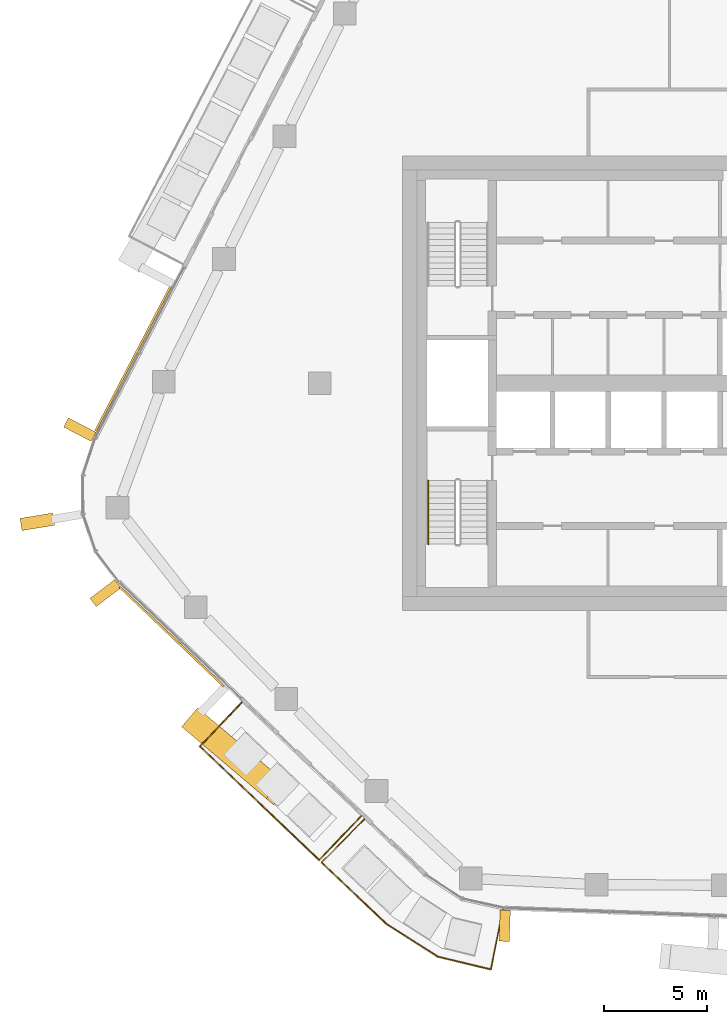
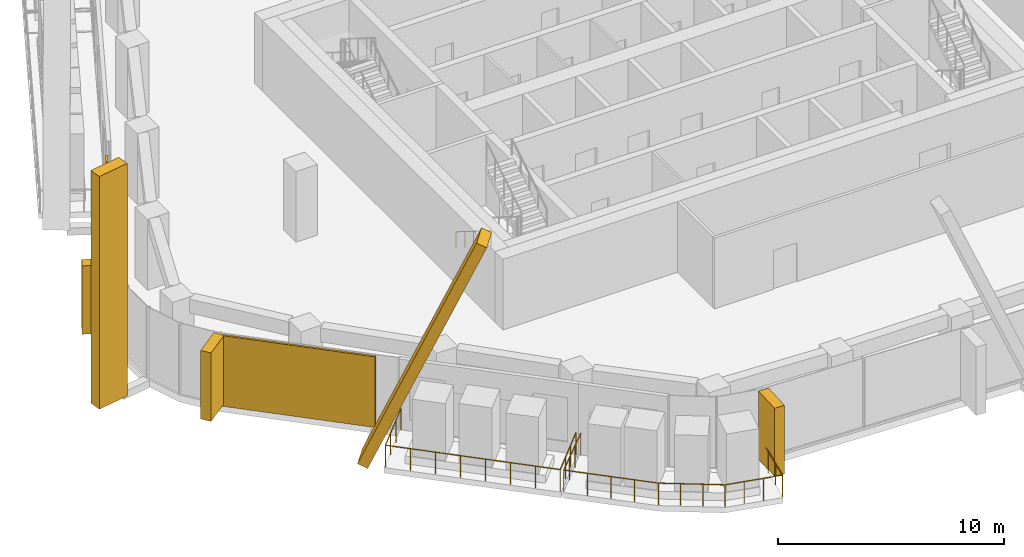
# One storey, part 14 of 20: 7 coverings, 3 railings, 4 elements without a shape of their own.
"""IFC4 building model written with IfcOpenShell, lengths in metres."""

from ifc_helpers import new_model, si_unit, direction, frame, origin, origin_2d, place, context, subcontext, project, spatial, rectangle, circle, extrude, material, layer, layer_set, material_profile, profile_set, type_object, element, aggregate, save


model = new_model("IFC4")

# Units and contexts
model_context = context("Model", 3, precision=1e-05, world=origin(), true_north=direction((0.0, 1.0)))
body_context = subcontext(model_context, "Body", "Model", "MODEL_VIEW")
ifc_project = project(units=[si_unit("LENGTHUNIT", "METRE"), si_unit("AREAUNIT", "SQUARE_METRE"), si_unit("VOLUMEUNIT", "CUBIC_METRE"), si_unit("PLANEANGLEUNIT", "RADIAN"), si_unit("MASSUNIT", "GRAM", prefix="KILO")], contexts=[model_context])

# Site, building, storey
site_placement = place(None, origin())
site = spatial("IfcSite", under=ifc_project, at=site_placement, CompositionType="ELEMENT")
building_placement = place(site_placement, origin())
building = spatial("IfcBuilding", under=site, at=building_placement, Name="Dongbaek Canopy Tower", CompositionType="ELEMENT")
storey_placement = place(building_placement, frame((0.0, 0.0, 266.39990234375)))
storey = spatial("IfcBuildingStorey", under=building, at=storey_placement, Name="L56", CompositionType="ELEMENT", Elevation=266.39990234375)

# Railings
ifc_material_1 = material(Name="Stainless steel", Category="steel")
railing_type_1 = type_object("IfcRailingType", Name="Balcony balustrade 1200", PredefinedType="BALUSTRADE", material=ifc_material_1)
railing_1_placement = place(storey_placement, frame((-21.756591796875, -15.428466796875, 0.0)))
element("IfcRailing", 1, at=railing_1_placement, inside=storey, type_object=railing_type_1, Name="Balcony guard L56 2", PredefinedType="BALUSTRADE", context=body_context, shape_type="SweptSolid", body=[
    extrude(circle(Radius=0.02392578125, at=origin_2d()), frame((0.0, 0.0, 1.17578125), z_axis=(-0.690473771685, -0.723357429363, 0.0), x_axis=(0.723357429363, -0.690473771685, 0.0)), (0.0, 0.0, 1.0), 2.93994140625),
    extrude(circle(Radius=0.02392578125, at=origin_2d()), frame((-2.030029296875, -2.126708984375, 1.17578125), z_axis=(0.723346496958, -0.690485224562, 0.0), x_axis=(0.690485224562, 0.723346496958, 0.0)), (0.0, 0.0, 1.0), 7.96435546875),
    extrude(circle(Radius=0.02392578125, at=origin_2d()), frame((3.73095703125, -7.6259765625, 1.17578125), z_axis=(0.690473771685, 0.723357429363, 0.0), x_axis=(-0.723357429363, 0.690473771685, 0.0)), (0.0, 0.0, 1.0), 2.93994140625),
    extrude(circle(Radius=0.02099609375, at=origin_2d()), origin(), (0.0, 0.0, 1.0), 1.15185546875),
    extrude(circle(Radius=0.02099609375, at=origin_2d()), frame((-0.6767578125, -0.708984375, 0.0)), (0.0, 0.0, 1.0), 1.15185546875),
    extrude(circle(Radius=0.02099609375, at=origin_2d()), frame((-1.353271484375, -1.417724609375, 0.0)), (0.0, 0.0, 1.0), 1.15185546875),
    extrude(circle(Radius=0.02099609375, at=origin_2d()), frame((-2.030029296875, -2.126708984375, 0.0)), (0.0, 0.0, 1.0), 1.15185546875),
    extrude(circle(Radius=0.02099609375, at=origin_2d()), frame((-1.20703125, -2.912353515625, 0.0)), (0.0, 0.0, 1.0), 1.15185546875),
    extrude(circle(Radius=0.02099609375, at=origin_2d()), frame((-0.384033203125, -3.697998046875, 0.0)), (0.0, 0.0, 1.0), 1.15185546875),
    extrude(circle(Radius=0.02099609375, at=origin_2d()), frame((0.43896484375, -4.483642578125, 0.0)), (0.0, 0.0, 1.0), 1.15185546875),
    extrude(circle(Radius=0.02099609375, at=origin_2d()), frame((1.261962890625, -5.26904296875, 0.0)), (0.0, 0.0, 1.0), 1.15185546875),
    extrude(circle(Radius=0.02099609375, at=origin_2d()), frame((2.0849609375, -6.0546875, 0.0)), (0.0, 0.0, 1.0), 1.15185546875),
    extrude(circle(Radius=0.02099609375, at=origin_2d()), frame((2.907958984375, -6.84033203125, 0.0)), (0.0, 0.0, 1.0), 1.15185546875),
    extrude(circle(Radius=0.02099609375, at=origin_2d()), frame((3.73095703125, -7.6259765625, 0.0)), (0.0, 0.0, 1.0), 1.15185546875),
    extrude(circle(Radius=0.02099609375, at=origin_2d()), frame((4.40771484375, -6.9169921875, 0.0)), (0.0, 0.0, 1.0), 1.15185546875),
    extrude(circle(Radius=0.02099609375, at=origin_2d()), frame((5.084228515625, -6.208251953125, 0.0)), (0.0, 0.0, 1.0), 1.15185546875),
    extrude(circle(Radius=0.02099609375, at=origin_2d()), frame((5.760986328125, -5.499267578125, 0.0)), (0.0, 0.0, 1.0), 1.15185546875),
])
railing_2_placement = place(storey_placement, frame((-15.83642578125, -21.07958984375, 0.0)))
element("IfcRailing", 2, at=railing_2_placement, inside=storey, type_object=railing_type_1, Name="Balcony guard L56 6", PredefinedType="BALUSTRADE", context=body_context, shape_type="SweptSolid", body=[
    extrude(circle(Radius=0.02392578125, at=origin_2d()), frame((0.0, 0.0, 1.17578125), z_axis=(-0.705111430024, -0.709096517584, 0.0), x_axis=(0.709096517584, -0.705111430024, 0.0)), (0.0, 0.0, 1.0), 2.940673828125),
    extrude(circle(Radius=0.02392578125, at=origin_2d()), frame((-2.073486328125, -2.085205078125, 1.17578125), z_axis=(0.725283750395, -0.688450057313, 0.0), x_axis=(0.688450057313, 0.725283750395, 0.0)), (0.0, 0.0, 1.0), 4.308349609375),
    extrude(circle(Radius=0.02392578125, at=origin_2d()), frame((1.05126953125, -5.05126953125, 1.17578125), z_axis=(0.842627660144, -0.538496635422, 0.0), x_axis=(0.538496635422, 0.842627660144, 0.0)), (0.0, 0.0, 1.0), 2.96044921875),
    extrude(circle(Radius=0.02392578125, at=origin_2d()), frame((3.5458984375, -6.6455078125, 1.17578125), z_axis=(0.972181603918, -0.234228369339, 0.0), x_axis=(0.234228369339, 0.972181603918, 0.0)), (0.0, 0.0, 1.0), 2.644287109375),
    extrude(circle(Radius=0.02392578125, at=origin_2d()), frame((6.11669921875, -7.264892578125, 1.17578125), z_axis=(0.196515267577, 0.980500764716, 0.0), x_axis=(-0.980500764716, 0.196515267577, 0.0)), (0.0, 0.0, 1.0), 2.940673828125),
    extrude(circle(Radius=0.02099609375, at=origin_2d()), origin(), (0.0, 0.0, 1.0), 1.15185546875),
    extrude(circle(Radius=0.02099609375, at=origin_2d()), frame((-0.691162109375, -0.695068359375, 0.0)), (0.0, 0.0, 1.0), 1.15185546875),
    extrude(circle(Radius=0.02099609375, at=origin_2d()), frame((-1.38232421875, -1.39013671875, 0.0)), (0.0, 0.0, 1.0), 1.15185546875),
    extrude(circle(Radius=0.02099609375, at=origin_2d()), frame((-2.073486328125, -2.085205078125, 0.0)), (0.0, 0.0, 1.0), 1.15185546875),
    extrude(circle(Radius=0.02099609375, at=origin_2d()), frame((-1.292236328125, -2.82666015625, 0.0)), (0.0, 0.0, 1.0), 1.15185546875),
    extrude(circle(Radius=0.02099609375, at=origin_2d()), frame((-0.51123046875, -3.568359375, 0.0)), (0.0, 0.0, 1.0), 1.15185546875),
    extrude(circle(Radius=0.02099609375, at=origin_2d()), frame((0.27001953125, -4.309814453125, 0.0)), (0.0, 0.0, 1.0), 1.15185546875),
    extrude(circle(Radius=0.02099609375, at=origin_2d()), frame((1.05126953125, -5.05126953125, 0.0)), (0.0, 0.0, 1.0), 1.15185546875),
    extrude(circle(Radius=0.02099609375, at=origin_2d()), frame((1.8828125, -5.582763671875, 0.0)), (0.0, 0.0, 1.0), 1.15185546875),
    extrude(circle(Radius=0.02099609375, at=origin_2d()), frame((2.71435546875, -6.114013671875, 0.0)), (0.0, 0.0, 1.0), 1.15185546875),
    extrude(circle(Radius=0.02099609375, at=origin_2d()), frame((3.5458984375, -6.6455078125, 0.0)), (0.0, 0.0, 1.0), 1.15185546875),
    extrude(circle(Radius=0.02099609375, at=origin_2d()), frame((4.40283203125, -6.85205078125, 0.0)), (0.0, 0.0, 1.0), 1.15185546875),
    extrude(circle(Radius=0.02099609375, at=origin_2d()), frame((5.259765625, -7.058349609375, 0.0)), (0.0, 0.0, 1.0), 1.15185546875),
    extrude(circle(Radius=0.02099609375, at=origin_2d()), frame((6.11669921875, -7.264892578125, 0.0)), (0.0, 0.0, 1.0), 1.15185546875),
    extrude(circle(Radius=0.02099609375, at=origin_2d()), frame((6.309326171875, -6.3037109375, 0.0)), (0.0, 0.0, 1.0), 1.15185546875),
    extrude(circle(Radius=0.02099609375, at=origin_2d()), frame((6.501953125, -5.3427734375, 0.0)), (0.0, 0.0, 1.0), 1.15185546875),
    extrude(circle(Radius=0.02099609375, at=origin_2d()), frame((6.694580078125, -4.381591796875, 0.0)), (0.0, 0.0, 1.0), 1.15185546875),
])

# Curtain wall, covering
ifc_material_2 = material(Name="Aluminium 6063-T6 pale anodised", Category="aluminium")
ifc_layer_1 = layer(ifc_material_2, 0.199951171875)
ifc_layer_set_1 = layer_set([ifc_layer_1], Name="CW-1 unitised tower curtain wall")
curtain_wall_type = type_object("IfcCurtainWallType", Name="CW-1 unitised tower curtain wall", PredefinedType="NOTDEFINED", material=ifc_layer_set_1)
curtain_wall_1_placement = place(storey_placement, origin())
curtain_wall_1 = element("IfcCurtainWall", 3, at=curtain_wall_1_placement, inside=storey, type_object=curtain_wall_type, Name="CW-1 curtain wall K3.1", PredefinedType="NOTDEFINED")
ifc_material_3 = material(Name="Aluminium 6063-T6 pale metal fin", Category="aluminium")
ifc_material_profile_1 = material_profile(ifc_material_3, rectangle(XDim=1.60009765625, YDim=0.60009765625, at=origin_2d()), Name="Corner fin CN1 600 x 1600 pale metal")
ifc_profile_set_1 = profile_set([ifc_material_profile_1], Name="Aluminium 6063-T6 pale metal fin")
covering_type_1 = type_object("IfcCoveringType", Name="Corner fin CN1 600 x 1600 pale metal", PredefinedType="CLADDING", material=ifc_profile_set_1)
covering_1_placement = place(storey_placement, frame((-31.653076171875, -6.698486328125, -0.18994140625), z_axis=(0.0, 0.0, 1.0), x_axis=(-0.986446731752, -0.164081825364, 0.0)))
covering_1 = element("IfcCovering", 4, at=covering_1_placement, type_object=covering_type_1, Name="Corner fin L56 L58 K3", PredefinedType="CLADDING", context=body_context, shape_type="SweptSolid", body=[
    extrude(rectangle(XDim=1.60009765625, YDim=0.60009765625, at=origin_2d()), origin(), (0.0, 0.0, 1.0), 12.580078125),
])

curtain_wall_2_placement = place(storey_placement, origin())
curtain_wall_2 = element("IfcCurtainWall", 5, at=curtain_wall_2_placement, inside=storey, type_object=curtain_wall_type, Name="CW-1 curtain wall F3.1", PredefinedType="NOTDEFINED")
ifc_material_4 = material(Name="Aluminium 6063-T6 pale metal fin", Category="aluminium")
ifc_material_profile_2 = material_profile(ifc_material_4, rectangle(XDim=1.199951171875, YDim=0.5, at=origin_2d()), Name="Crease fin CF1 500 x 1200 pale metal")
ifc_profile_set_2 = profile_set([ifc_material_profile_2], Name="Aluminium 6063-T6 pale metal fin")
covering_type_2 = type_object("IfcCoveringType", Name="Crease fin CF1 500 x 1200 pale metal", PredefinedType="CLADDING", material=ifc_profile_set_2)
covering_2_placement = place(storey_placement, frame((-24.112060546875, -16.302490234375, -0.18994140625), z_axis=(0.298781883999, -0.253230973228, 0.920110569438), x_axis=(0.646560311263, 0.762862873589, 0.0)))
covering_2 = element("IfcCovering", 6, at=covering_2_placement, type_object=covering_type_2, Name="Crease fin L56 L59 F3", PredefinedType="CLADDING", context=body_context, shape_type="SweptSolid", body=[
    extrude(rectangle(XDim=1.199951171875, YDim=0.5, at=origin_2d()), origin(), (0.0, 0.0, 1.0), 13.694091796875),
])

curtain_wall_3_placement = place(storey_placement, origin())
curtain_wall_3 = element("IfcCurtainWall", 7, at=curtain_wall_3_placement, inside=storey, type_object=curtain_wall_type, Name="CW-1 curtain wall F2.1", PredefinedType="NOTDEFINED")
ifc_material_5 = material(Name="Perforated aluminium 6063-T6 pale metal screen", Category="aluminium")
ifc_layer_2 = layer(ifc_material_5, 0.10009765625)
ifc_layer_set_2 = layer_set([ifc_layer_2], Name="Facet screen FS1 100 pale metal")
covering_type_3 = type_object("IfcCoveringType", Name="Facet screen FS1 100 pale metal", PredefinedType="CLADDING", material=ifc_layer_set_2)
covering_3_placement = place(storey_placement, frame((-27.00390625, 1.228515625, 0.0), z_axis=(0.0, 0.0, 1.0), x_axis=(-0.460879893376, -0.887462519706, 0.0)))
covering_3 = element("IfcCovering", 8, at=covering_3_placement, type_object=covering_type_3, Name="Facet screen L56 F2", PredefinedType="CLADDING", context=body_context, shape_type="SweptSolid", body=[
    extrude(rectangle(XDim=7.97509765625, YDim=0.10009765625, at=origin_2d()), origin(), (0.0, 0.0, 1.0), 3.820068359375),
])

# Covering
covering_4_placement = place(storey_placement, frame((-25.14892578125, -12.25390625, 0.0), z_axis=(0.0, 0.0, 1.0), x_axis=(0.723350484434, -0.690481047292, 0.0)))
covering_4 = element("IfcCovering", 9, at=covering_4_placement, type_object=covering_type_3, Name="Facet screen L56 F3", PredefinedType="CLADDING", context=body_context, shape_type="SweptSolid", body=[
    extrude(rectangle(XDim=6.973388671875, YDim=0.10009765625, at=origin_2d()), origin(), (0.0, 0.0, 1.0), 3.820068359375),
])

aggregate(curtain_wall_2, [covering_2, covering_4])

ifc_material_6 = material(Name="Aluminium 6063-T6 pale metal fin", Category="aluminium")
ifc_material_profile_3 = material_profile(ifc_material_6, rectangle(XDim=1.5, YDim=0.5, at=origin_2d()), Name="Fin FN1 500 x 1500 pale metal")
ifc_profile_set_3 = profile_set([ifc_material_profile_3], Name="Aluminium 6063-T6 pale metal fin")
covering_type_4 = type_object("IfcCoveringType", Name="Fin FN1 500 x 1500 pale metal", PredefinedType="CLADDING", material=ifc_profile_set_3)
covering_5_placement = place(storey_placement, frame((-29.60009765625, -2.2431640625, 0.1201171875), z_axis=(0.0, 0.0, 1.0), x_axis=(-0.887462222541, 0.460880465591, 0.0)))
covering_5 = element("IfcCovering", 10, at=covering_5_placement, type_object=covering_type_4, Name="Fin F2.1.3", PredefinedType="CLADDING", context=body_context, shape_type="SweptSolid", body=[
    extrude(rectangle(XDim=1.5, YDim=0.5, at=origin_2d()), origin(), (0.0, 0.0, 1.0), 3.699951171875),
])

aggregate(curtain_wall_3, [covering_5, covering_3])

covering_6_placement = place(storey_placement, frame((-28.359375, -10.1474609375, 0.1201171875), z_axis=(0.0, 0.0, 1.0), x_axis=(-0.797480818021, -0.603344300453, 0.0)))
covering_6 = element("IfcCovering", 11, at=covering_6_placement, type_object=covering_type_4, Name="Fin K3.1.5", PredefinedType="CLADDING", context=body_context, shape_type="SweptSolid", body=[
    extrude(rectangle(XDim=1.5, YDim=0.5, at=origin_2d()), origin(), (0.0, 0.0, 1.0), 3.699951171875),
])

aggregate(curtain_wall_1, [covering_6, covering_1])

# Curtain wall, covering
curtain_wall_4_placement = place(storey_placement, origin())
curtain_wall_4 = element("IfcCurtainWall", 12, at=curtain_wall_4_placement, inside=storey, type_object=curtain_wall_type, Name="CW-1 curtain wall F4.1", PredefinedType="NOTDEFINED")
covering_7_placement = place(storey_placement, frame((-9.052978515625, -26.23486328125, 0.1201171875), z_axis=(0.0, 0.0, 1.0), x_axis=(-0.036873891921, -0.999319926798, 0.0)))
covering_7 = element("IfcCovering", 13, at=covering_7_placement, type_object=covering_type_4, Name="Fin F4.1.1", PredefinedType="CLADDING", context=body_context, shape_type="SweptSolid", body=[
    extrude(rectangle(XDim=1.5, YDim=0.5, at=origin_2d()), origin(), (0.0, 0.0, 1.0), 3.699951171875),
])
aggregate(curtain_wall_4, [covering_7])

# Railing
ifc_material_7 = material(Name="Stainless steel tube", Category="steel")
railing_type_2 = type_object("IfcRailingType", Name="Stair handrail 900", PredefinedType="HANDRAIL", material=ifc_material_7)
railing_3_placement = place(storey_placement, frame((-12.75, -4.699951171875, 0.175048828125)))
element("IfcRailing", 14, at=railing_3_placement, inside=storey, type_object=railing_type_2, Name="L56 ST-D stair handrail 1", PredefinedType="HANDRAIL", context=body_context, shape_type="SweptSolid", body=[
    extrude(circle(Radius=0.02392578125, at=origin_2d()), frame((0.0, 0.0, 0.8759765625), z_axis=(0.0, -0.847998304005, 0.529998940003), x_axis=(1.0, 0.0, 0.0)), (0.0, 0.0, 1.0), 3.632080078125),
    extrude(circle(Radius=0.02099609375, at=origin_2d()), origin(), (0.0, 0.0, 1.0), 0.851806640625),
    extrude(circle(Radius=0.02099609375, at=origin_2d()), frame((0.0, -0.77001953125, 0.481201171875)), (0.0, 0.0, 1.0), 0.851806640625),
    extrude(circle(Radius=0.02099609375, at=origin_2d()), frame((0.0, -1.5400390625, 0.96240234375)), (0.0, 0.0, 1.0), 0.851806640625),
    extrude(circle(Radius=0.02099609375, at=origin_2d()), frame((0.0, -2.31005859375, 1.44384765625)), (0.0, 0.0, 1.0), 0.851806640625),
    extrude(circle(Radius=0.02099609375, at=origin_2d()), frame((0.0, -3.080078125, 1.925048828125)), (0.0, 0.0, 1.0), 0.851806640625),
])

save(model, "model.ifc")
